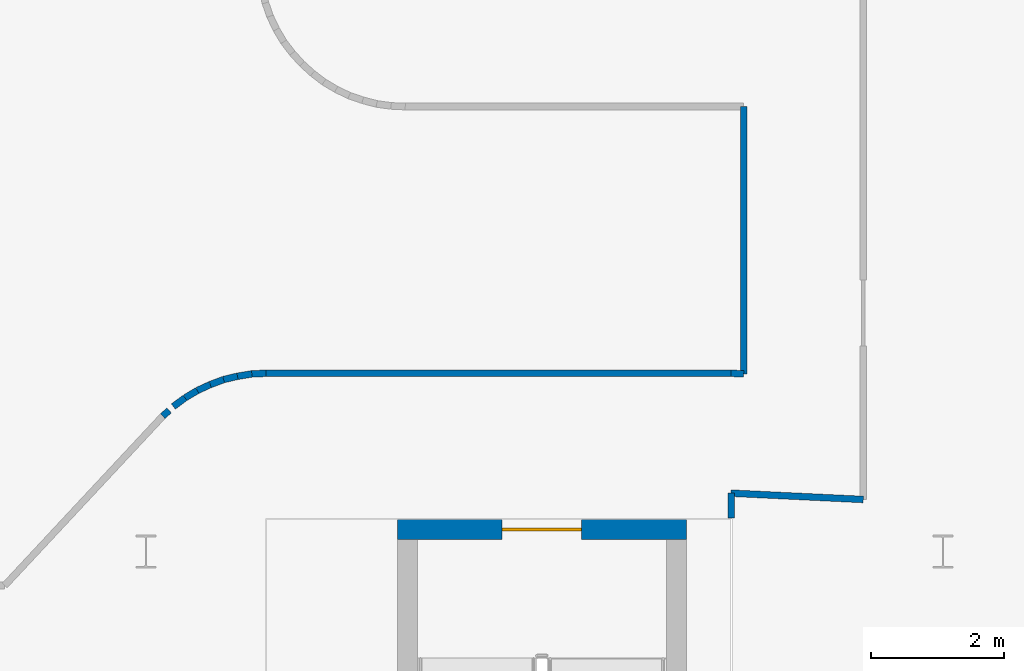
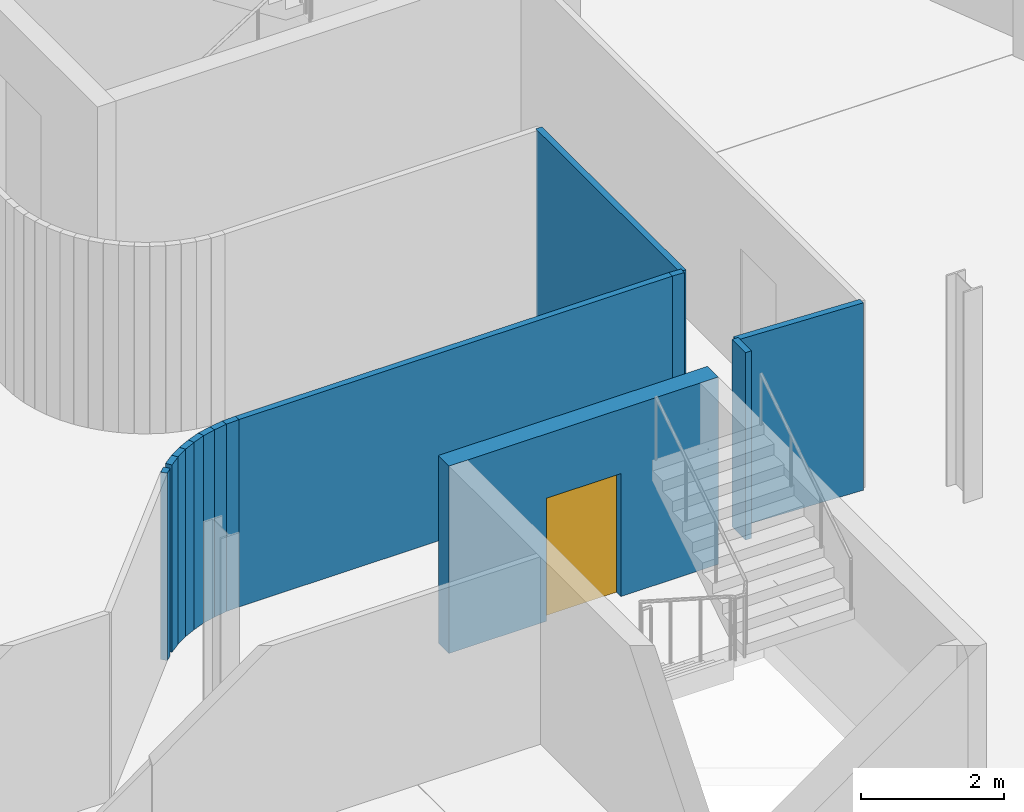
# One storey, part 16 of 27: 14 walls, 1 door, 1 opening.
"""IFC4 building model written with IfcOpenShell, lengths in metres."""

from ifc_helpers import new_model, si_unit, direction, frame, frame_2d, origin, place, context, subcontext, project, spatial, rectangle, extrude, material, layer, layer_set, type_object, element, fill, save


model = new_model("IFC4")

# Units and contexts
model_context = context("Model", 3, precision=1e-05, world=origin(), true_north=direction((0.0, 1.0)))
body_context = subcontext(model_context, "Body", "Model", "MODEL_VIEW")
ifc_project = project(units=[si_unit("LENGTHUNIT", "METRE"), si_unit("AREAUNIT", "SQUARE_METRE"), si_unit("VOLUMEUNIT", "CUBIC_METRE"), si_unit("PLANEANGLEUNIT", "RADIAN"), si_unit("MASSUNIT", "GRAM", prefix="KILO")], contexts=[model_context])

# Site, building, storey
site_placement = place(None, origin())
site = spatial("IfcSite", under=ifc_project, at=site_placement, CompositionType="ELEMENT")
building_placement = place(site_placement, origin())
building = spatial("IfcBuilding", under=site, at=building_placement, Name="Wharfspan Tower", CompositionType="ELEMENT")
storey_placement = place(building_placement, frame((0.0, 0.0, 159.100098)))
storey = spatial("IfcBuildingStorey", under=building, at=storey_placement, Name="L38", CompositionType="ELEMENT", Elevation=159.100098)

# Walls
ifc_material_1 = material(Name="Gypsum board on steel studs", Category="steel")
ifc_layer_1 = layer(ifc_material_1, 0.100098)
ifc_layer_set_1 = layer_set([ifc_layer_1], Name="Gypsum board on steel studs")
wall_type_1 = type_object("IfcWallType", Name="Compartment wall 100 EI 60", PredefinedType="PARTITIONING", material=ifc_layer_set_1)
wall_1_placement = place(storey_placement, frame((60.254883, 13.540039, 0.0), z_axis=(0.0, 0.0, 1.0), x_axis=(0.746144, 0.66579, 0.0)))
element("IfcWall", 1, at=wall_1_placement, inside=storey, type_object=wall_type_1, Name="Partition L38.w069", PredefinedType="PARTITIONING", context=body_context, shape_type="SweptSolid", body=[
    extrude(rectangle(XDim=0.127686, YDim=0.100098, at=frame_2d((0.063965, 0.0))), origin(), (0.0, 0.0, 1.0), 3.199951),
])
wall_2_placement = place(storey_placement, frame((60.415039, 13.685059, 0.0), z_axis=(0.0, 0.0, 1.0), x_axis=(0.803079, 0.595869, 0.0)))
element("IfcWall", 2, at=wall_2_placement, inside=storey, type_object=wall_type_1, Name="Partition L38.w070", PredefinedType="PARTITIONING", context=body_context, shape_type="SweptSolid", body=[
    extrude(rectangle(XDim=0.218018, YDim=0.100098, at=frame_2d((0.108887, 0.0))), origin(), (0.0, 0.0, 1.0), 3.199951),
])
wall_3_placement = place(storey_placement, frame((60.590088, 13.814941, 0.0), z_axis=(0.0, 0.0, 1.0), x_axis=(0.859091, 0.511823, 0.0)))
element("IfcWall", 3, at=wall_3_placement, inside=storey, type_object=wall_type_1, Name="Partition L38.w071", PredefinedType="PARTITIONING", context=body_context, shape_type="SweptSolid", body=[
    extrude(rectangle(XDim=0.215088, YDim=0.100098, at=frame_2d((0.107422, 0.0))), origin(), (0.0, 0.0, 1.0), 3.199951),
])
wall_4_placement = place(storey_placement, frame((60.774902, 13.925049, 0.0), z_axis=(0.0, 0.0, 1.0), x_axis=(0.908296, 0.418339, 0.0)))
element("IfcWall", 4, at=wall_4_placement, inside=storey, type_object=wall_type_1, Name="Partition L38.w072", PredefinedType="PARTITIONING", context=body_context, shape_type="SweptSolid", body=[
    extrude(rectangle(XDim=0.214844, YDim=0.100098, at=frame_2d((0.107422, 0.0))), origin(), (0.0, 0.0, 1.0), 3.199951),
])
wall_5_placement = place(storey_placement, frame((60.969971, 14.014893, 0.0), z_axis=(0.0, 0.0, 1.0), x_axis=(0.936, 0.352, 0.0)))
element("IfcWall", 5, at=wall_5_placement, inside=storey, type_object=wall_type_1, Name="Partition L38.w073", PredefinedType="PARTITIONING", context=body_context, shape_type="SweptSolid", body=[
    extrude(rectangle(XDim=0.213623, YDim=0.100098, at=frame_2d((0.106934, 0.0))), origin(), (0.0, 0.0, 1.0), 3.199951),
])
wall_6_placement = place(storey_placement, frame((61.169922, 14.090088, 0.0), z_axis=(0.0, 0.0, 1.0), x_axis=(0.972997, 0.230804, 0.0)))
element("IfcWall", 6, at=wall_6_placement, inside=storey, type_object=wall_type_1, Name="Partition L38.w074", PredefinedType="PARTITIONING", context=body_context, shape_type="SweptSolid", body=[
    extrude(rectangle(XDim=0.21582, YDim=0.100098, at=frame_2d((0.10791, 0.0))), origin(), (0.0, 0.0, 1.0), 3.199951),
])
wall_7_placement = place(storey_placement, frame((61.379883, 14.139893, 0.0), z_axis=(0.0, 0.0, 1.0), x_axis=(0.986904, 0.16131, 0.0)))
element("IfcWall", 7, at=wall_7_placement, inside=storey, type_object=wall_type_1, Name="Partition L38.w075", PredefinedType="PARTITIONING", context=body_context, shape_type="SweptSolid", body=[
    extrude(rectangle(XDim=0.218018, YDim=0.100098, at=frame_2d((0.108887, 0.0))), origin(), (0.0, 0.0, 1.0), 3.199951),
])
wall_8_placement = place(storey_placement, frame((61.594971, 14.175049, 0.0), z_axis=(0.0, 0.0, 1.0), x_axis=(0.998923, 0.046488, 0.0)))
element("IfcWall", 8, at=wall_8_placement, inside=storey, type_object=wall_type_1, Name="Partition L38.w076", PredefinedType="PARTITIONING", context=body_context, shape_type="SweptSolid", body=[
    extrude(rectangle(XDim=0.215332, YDim=0.100098, at=frame_2d((0.107666, 0.0))), origin(), (0.0, 0.0, 1.0), 3.199951),
])
wall_9_placement = place(storey_placement, frame((61.810059, 14.185059, 0.0), z_axis=(0.0, 0.0, 1.0), x_axis=(1.0, 0.0, 0.0)))
element("IfcWall", 9, at=wall_9_placement, inside=storey, type_object=wall_type_1, Name="Partition L38.w081", PredefinedType="PARTITIONING", context=body_context, shape_type="SweptSolid", body=[
    extrude(rectangle(XDim=7.0, YDim=0.100098, at=frame_2d((3.5, 0.0))), origin(), (0.0, 0.0, 1.0), 3.199951),
])
wall_10_placement = place(storey_placement, frame((68.810059, 12.003662, 0.0), z_axis=(0.0, 0.0, 1.0), x_axis=(0.0, 1.0, 0.0)))
element("IfcWall", 10, at=wall_10_placement, inside=storey, type_object=wall_type_1, Name="Partition L38.w097", PredefinedType="PARTITIONING", context=body_context, shape_type="SweptSolid", body=[
    extrude(rectangle(XDim=0.376221, YDim=0.100098, at=frame_2d((0.187988, 0.0))), origin(), (0.0, 0.0, 1.0), 3.199951),
])
wall_11_placement = place(storey_placement, frame((69.0, 14.175049, 0.0), z_axis=(0.0, 0.0, 1.0), x_axis=(-0.99861, 0.052626, 0.0)))
element("IfcWall", 11, at=wall_11_placement, inside=storey, type_object=wall_type_1, Name="Partition L38.w099", PredefinedType="PARTITIONING", context=body_context, shape_type="SweptSolid", body=[
    extrude(rectangle(XDim=0.190186, YDim=0.100098, at=frame_2d((0.095215, 0.0))), origin(), (0.0, 0.0, 1.0), 3.199951),
])
wall_12_placement = place(storey_placement, frame((69.0, 14.175049, 0.0), z_axis=(0.0, 0.0, 1.0), x_axis=(0.0, 1.0, 0.0)))
element("IfcWall", 12, at=wall_12_placement, inside=storey, type_object=wall_type_1, Name="Partition L38.w100", PredefinedType="PARTITIONING", context=body_context, shape_type="SweptSolid", body=[
    extrude(rectangle(XDim=4.024902, YDim=0.100098, at=frame_2d((2.012451, 0.0))), origin(), (0.0, 0.0, 1.0), 3.199951),
])
wall_13_placement = place(storey_placement, frame((70.800049, 12.284912, 0.0), z_axis=(0.0, 0.0, 1.0), x_axis=(-0.998864, 0.04767, 0.0)))
element("IfcWall", 13, at=wall_13_placement, inside=storey, type_object=wall_type_1, Name="Partition L38.w101", PredefinedType="PARTITIONING", context=body_context, shape_type="SweptSolid", body=[
    extrude(rectangle(XDim=1.992188, YDim=0.100098, at=frame_2d((0.996094, 0.0))), origin(), (0.0, 0.0, 1.0), 3.199951),
])

# Wall, opening, door
ifc_material_2 = material(Name="Concrete C40/50", Category="concrete")
ifc_layer_2 = layer(ifc_material_2, 0.300049)
ifc_layer_set_2 = layer_set([ifc_layer_2], Name="Concrete C40/50")
wall_type_2 = type_object("IfcWallType", Name="Stair core wall 300", PredefinedType="SHEAR", material=ifc_layer_set_2)
wall_14_placement = place(storey_placement, frame((63.786377, 11.83374, 0.0), z_axis=(0.0, 0.0, 1.0), x_axis=(1.0, 0.0, 0.0)))
wall_14 = element("IfcWall", 14, at=wall_14_placement, inside=storey, type_object=wall_type_2, Name="ST5 stair enclosure wall L38", PredefinedType="SHEAR", context=body_context, shape_type="SweptSolid", body=[
    extrude(rectangle(XDim=4.350098, YDim=0.300049, at=frame_2d((2.175049, 0.0))), origin(), (0.0, 0.0, 1.0), 3.199951),
])
opening_placement = place(wall_14_placement, frame((1.574951, 0.0, 0.0)))
opening = element("IfcOpeningElement", 15, at=opening_placement, cuts=wall_14, Name="Opening SD5.L38", PredefinedType="OPENING", context=body_context, shape_type="SweptSolid", body=[
    extrude(rectangle(XDim=1.199951, YDim=2.100098, at=frame_2d((0.600098, 1.050049))), frame((0.0, 0.159912, 0.0), z_axis=(0.0, -1.0, 0.0), x_axis=(1.0, 0.0, 0.0)), (0.0, 0.0, 1.0), 0.320068),
])
ifc_material_3 = material(Name="Steel door leaf", Category="steel")
door_type = type_object("IfcDoorType", Name="Stair door 1200x2100", OperationType="SINGLE_SWING_LEFT", PredefinedType="DOOR", material=ifc_material_3)
door_placement = place(opening_placement, origin())
door = element("IfcDoor", 16, at=door_placement, inside=storey, type_object=door_type, Name="sd:L38:ST5z3", OperationType="SINGLE_SWING_RIGHT", OverallHeight=2.100098, OverallWidth=1.199951, PredefinedType="DOOR", context=body_context, shape_type="SweptSolid", body=[
    extrude(rectangle(XDim=1.199951, YDim=2.100098, at=frame_2d((0.600098, 1.050049))), frame((0.0, 0.024902, 0.0), z_axis=(0.0, -1.0, 0.0), x_axis=(1.0, 0.0, 0.0)), (0.0, 0.0, 1.0), 0.050049),
])
fill(opening, door)

save(model, "model.ifc")
